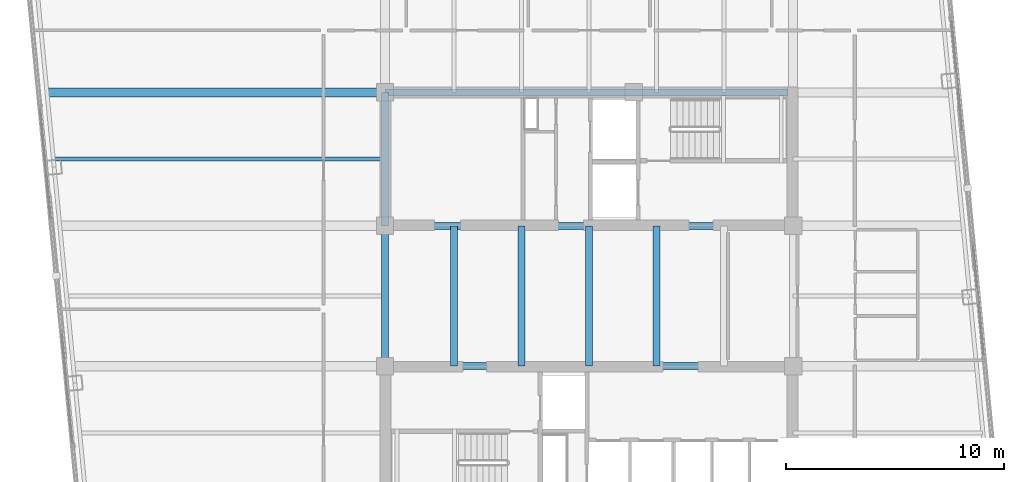
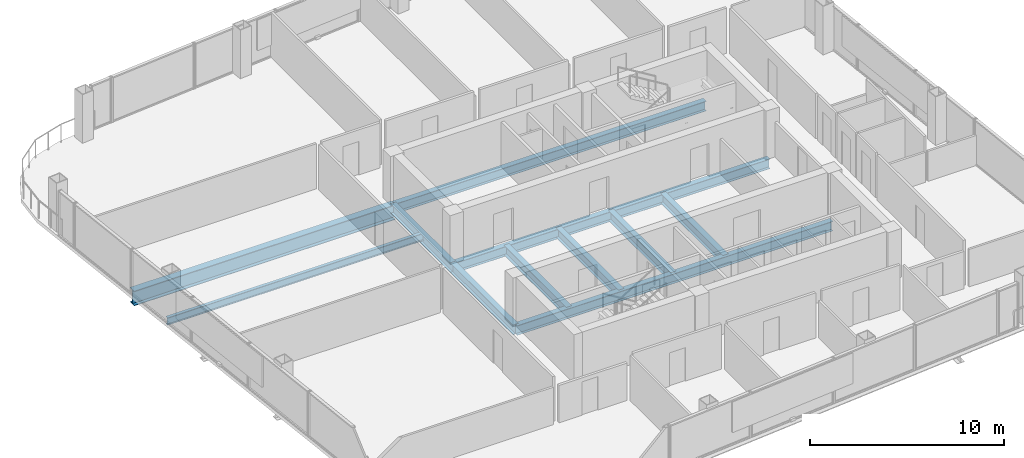
# One storey, part 8 of 22: 11 beams.
"""IFC4 building model written with IfcOpenShell, lengths in metres."""

import ifcopenshell
import ifcopenshell.guid

model = None  # the IFC model being written
_history = None  # IfcOwnerHistory: only IFC2X3 demands one
_inside = {}  # id of a spatial element -> (the spatial element, [elements in it])
_under = {}  # id of a project, library or spatial element -> (it, [spatial elements below it])
_declared = {}  # id of a project -> (the project, [libraries it declares])
_typed = {}  # id of a type object -> (the type object, [elements of that type])
_made_of = {}  # id of a material, layer set ... -> (it, [elements and type objects made of it])


def new_model(schema):
    """Start an empty IFC model of exactly this schema.

    Asked for "IFC4X3", IfcOpenShell would pick the latest addendum, in which some entities
    have other attributes; the version numbers below select the first issue.
    IFC2X3 requires an IfcOwnerHistory on every rooted entity: one is made here for all.
    """
    global model, _history
    if schema == "IFC4X3":
        model = ifcopenshell.file(schema_version=(4, 3, 0, 0))
    else:
        model = ifcopenshell.file(schema=schema)
    _inside.clear()
    _under.clear()
    _declared.clear()
    _typed.clear()
    _made_of.clear()
    _history = None
    if model.schema == "IFC2X3":
        org = make("IfcOrganization", Name="unknown")
        user = make(
            "IfcPersonAndOrganization",
            ThePerson=make("IfcPerson", FamilyName="unknown"),
            TheOrganization=org,
        )
        app = make(
            "IfcApplication",
            ApplicationDeveloper=org,
            Version="unknown",
            ApplicationFullName="unknown",
            ApplicationIdentifier="unknown",
        )
        _history = make(
            "IfcOwnerHistory",
            OwningUser=user,
            OwningApplication=app,
            ChangeAction="ADDED",
            CreationDate=0,
        )
    return model


def make(cls, **values):
    """One entity of the class cls with the attributes given. An attribute that is None is left unset."""
    return model.create_entity(
        cls, **{name: value for name, value in values.items() if value is not None}
    )


def rooted(cls, **values):
    """An entity with a GlobalId (a new one), such as an element, a storey or a relation."""
    return make(cls, GlobalId=ifcopenshell.guid.new(), OwnerHistory=_history, **values)


def si_unit(unit_type, name, prefix=None):
    """IfcSIUnit, for example si_unit("LENGTHUNIT", "METRE", prefix="MILLI")."""
    return make("IfcSIUnit", UnitType=unit_type, Prefix=prefix, Name=name)


def assignment(units):
    """IfcUnitAssignment: the units of a project."""
    return None if units is None else make("IfcUnitAssignment", Units=units)


def point(xyz):
    """IfcCartesianPoint."""
    return None if xyz is None else make("IfcCartesianPoint", Coordinates=xyz)


def direction(xyz):
    """IfcDirection."""
    return None if xyz is None else make("IfcDirection", DirectionRatios=xyz)


def frame(location, z_axis=None, x_axis=None):
    """IfcAxis2Placement3D, a coordinate frame: its origin and axes. An axis left out is left unset."""
    return make(
        "IfcAxis2Placement3D",
        Location=point(location),
        Axis=direction(z_axis),
        RefDirection=direction(x_axis),
    )


def frame_2d(location, x_axis=None):
    """IfcAxis2Placement2D, a coordinate frame in the plane: its origin and x axis."""
    return make(
        "IfcAxis2Placement2D", Location=point(location), RefDirection=direction(x_axis)
    )


def origin():
    """The frame at (0, 0, 0) with its axes left unset."""
    return frame((0.0, 0.0, 0.0))


def origin_2d():
    """The frame at (0, 0) in the plane with its x axis left unset."""
    return frame_2d((0.0, 0.0))


def place(relative_to, where):
    """IfcLocalPlacement: puts the frame where relative to a parent placement (None: the world)."""
    return make(
        "IfcLocalPlacement", PlacementRelTo=relative_to, RelativePlacement=where
    )


def context(
    kind, dimensions, precision=None, world=None, true_north=None, identifier=None
):
    """IfcGeometricRepresentationContext, for example the 3D "Model" context."""
    return make(
        "IfcGeometricRepresentationContext",
        ContextIdentifier=identifier,
        ContextType=kind,
        CoordinateSpaceDimension=dimensions,
        Precision=precision,
        WorldCoordinateSystem=world,
        TrueNorth=true_north,
    )


def subcontext(parent, identifier, kind, view, scale=None):
    """IfcGeometricRepresentationSubContext, for example "Body" below "Model"."""
    return make(
        "IfcGeometricRepresentationSubContext",
        ContextIdentifier=identifier,
        ContextType=kind,
        ParentContext=parent,
        TargetScale=scale,
        TargetView=view,
    )


def project(units=None, contexts=None):
    """IfcProject with its units and contexts."""
    return rooted(
        "IfcProject",
        Name="project",
        RepresentationContexts=contexts,
        UnitsInContext=assignment(units),
    )


def spatial(cls, under=None, at=None, **own):
    """A site, building, storey or space (cls), placed at a placement, below another one or the project."""
    s = rooted(cls, ObjectPlacement=at, **own)
    if under is not None:
        _under.setdefault(under.id(), (under, []))[1].append(s)
    return s


def profile(cls, at=None, kind="AREA", **sizes):
    """A parametric profile (cls). Its sizes go by their IFC names, for example OverallWidth=200.0."""
    return make(cls, ProfileType=kind, Position=at, **sizes)


def i_section(**sizes):
    """IfcIShapeProfileDef."""
    return profile("IfcIShapeProfileDef", **sizes)


def extrude(swept, where, along, depth):
    """IfcExtrudedAreaSolid: the profile swept, set in the frame where, extruded along a direction by depth."""
    return make(
        "IfcExtrudedAreaSolid",
        SweptArea=swept,
        Position=where,
        ExtrudedDirection=direction(along),
        Depth=depth,
    )


def shape(context_of_items, identifier, shape_type, items):
    """IfcShapeRepresentation: the items that make up one representation, for example the "Body"."""
    return make(
        "IfcShapeRepresentation",
        ContextOfItems=context_of_items,
        RepresentationIdentifier=identifier,
        RepresentationType=shape_type,
        Items=items,
    )


def material(Name=None, Category=None):
    """IfcMaterial."""
    return make("IfcMaterial", Name=Name, Category=Category)


def material_profile(
    of_material, cross_section, Name=None, Category=None, Priority=None
):
    """IfcMaterialProfile: a cross section and its material."""
    return make(
        "IfcMaterialProfile",
        Name=Name,
        Material=of_material,
        Profile=cross_section,
        Priority=Priority,
        Category=Category,
    )


def profile_set(profiles, Name=None, composite=None):
    """IfcMaterialProfileSet."""
    return make(
        "IfcMaterialProfileSet",
        Name=Name,
        MaterialProfiles=profiles,
        CompositeProfile=composite,
    )


def made_of(thing, what):
    """Note that an element or type object is made of a material, layer set ...; save() writes the relation."""
    if what is not None:
        _made_of.setdefault(what.id(), (what, []))[1].append(thing)
    return thing


def type_object(cls, material=None, **own):
    """A type object (cls), such as IfcWallType, which elements share."""
    return made_of(rooted(cls, **own), material)


def element(
    cls,
    number,
    at=None,
    inside=None,
    cuts=None,
    type_object=None,
    material=None,
    context=None,
    identifier="Body",
    shape_type=None,
    held_by="IfcProductDefinitionShape",
    body=None,
    shapes=None,
    **own,
):
    """One element of the class cls, such as IfcWall. Its Tag is "e" and its number.

    at: its placement. inside: the storey or other place that contains it. cuts: it is an
    opening in that element (IfcRelVoidsElement). A single representation is given by context,
    identifier, shape_type and body (its items); several are given by shapes. held_by: the class
    of the entity that holds the representations. save() writes the other relations.
    """
    e = rooted(cls, Tag="e%d" % number, ObjectPlacement=at, **own)
    if body is not None:
        shapes = [shape(context, identifier, shape_type, body)]
    if shapes is not None:
        e.Representation = make(held_by, Representations=shapes)
    if inside is not None:
        _inside.setdefault(inside.id(), (inside, []))[1].append(e)
    if cuts is not None:
        rooted(
            "IfcRelVoidsElement", RelatingBuildingElement=cuts, RelatedOpeningElement=e
        )
    if type_object is not None:
        _typed.setdefault(type_object.id(), (type_object, []))[1].append(e)
    return made_of(e, material)


def aggregate(whole, parts):
    """IfcRelAggregates: a whole, such as a stair, and the parts it consists of."""
    return rooted("IfcRelAggregates", RelatingObject=whole, RelatedObjects=parts)


def save(model, path):
    """Write the relations noted so far, then the file.

    IfcRelAggregates (storeys below a building ...), IfcRelContainedInSpatialStructure (elements
    in a storey), IfcRelDefinesByType, IfcRelAssociatesMaterial and IfcRelDeclares: one each for
    every whole, place, type object, material and project.
    """
    for whole, parts in _under.values():
        aggregate(whole, parts)
    for where, things in _inside.values():
        rooted(
            "IfcRelContainedInSpatialStructure",
            RelatedElements=things,
            RelatingStructure=where,
        )
    for kind, things in _typed.values():
        rooted("IfcRelDefinesByType", RelatedObjects=things, RelatingType=kind)
    for what, things in _made_of.values():
        rooted("IfcRelAssociatesMaterial", RelatedObjects=things, RelatingMaterial=what)
    for by, libraries in _declared.values():
        rooted("IfcRelDeclares", RelatingContext=by, RelatedDefinitions=libraries)
    model.write(path)


model = new_model("IFC4")

# Units and contexts
model_context = context("Model", 3, precision=1e-05, world=origin(), true_north=direction((0.0, 1.0)))
body_context = subcontext(model_context, "Body", "Model", "MODEL_VIEW")
ifc_project = project(units=[si_unit("LENGTHUNIT", "METRE"), si_unit("AREAUNIT", "SQUARE_METRE"), si_unit("VOLUMEUNIT", "CUBIC_METRE"), si_unit("PLANEANGLEUNIT", "RADIAN"), si_unit("MASSUNIT", "GRAM", prefix="KILO")], contexts=[model_context])

# Site, building, storey
site_placement = place(None, origin())
site = spatial("IfcSite", under=ifc_project, at=site_placement, CompositionType="ELEMENT")
building_placement = place(site_placement, origin())
building = spatial("IfcBuilding", under=site, at=building_placement, Name="Qhalaya Broadcast Tower", CompositionType="ELEMENT")
storey_placement = place(building_placement, frame((0.0, 0.0, 165.300048828125)))
storey = spatial("IfcBuildingStorey", under=building, at=storey_placement, Name="L48", CompositionType="ELEMENT", Elevation=165.300048828125)

# Beams
ifc_material = material(Name="Structural Steel ASTM A992 Grade 50", Category="steel")
ifc_material_profile_1 = material_profile(ifc_material, i_section(OverallWidth=0.19189453125, OverallDepth=0.462890625, WebThickness=0.010498046875, FlangeThickness=0.017578125, at=origin_2d()), Name="W18X60")
ifc_profile_set_1 = profile_set([ifc_material_profile_1], Name="Structural Steel ASTM A992 Grade 50")
beam_type_1 = type_object("IfcBeamType", Name="Composite Floor Joist J03", PredefinedType="JOIST", material=ifc_profile_set_1)
beam_1_placement = place(storey_placement, frame((-24.589111328125, 6.89990234375, -0.45166015625), z_axis=(1.0, 0.0, 0.0), x_axis=(0.0, 1.0, 0.0)))
element("IfcBeam", 1, at=beam_1_placement, inside=storey, type_object=beam_type_1, Name="L48 J03 L48-JWE5W-1", PredefinedType="JOIST", context=body_context, shape_type="SweptSolid", body=[
    extrude(i_section(OverallWidth=0.19189453125, OverallDepth=0.462890625, WebThickness=0.010498046875, FlangeThickness=0.017578125, at=origin_2d()), origin(), (0.0, 0.0, 1.0), 15.214111328125),
])
ifc_material_profile_2 = material_profile(ifc_material, i_section(OverallWidth=0.323974609375, OverallDepth=0.612060546875, WebThickness=0.0126953125, FlangeThickness=0.01904296875, at=origin_2d()), Name="W24X104")
ifc_profile_set_2 = profile_set([ifc_material_profile_2], Name="Structural Steel ASTM A992 Grade 50")
beam_type_2 = type_object("IfcBeamType", Name="Core Frame Tie Beam B04", PredefinedType="BEAM", material=ifc_profile_set_2)
beam_2_placement = place(storey_placement, frame((-9.375, 3.824951171875, -0.526123046875), z_axis=(1.0, 0.0, 0.0), x_axis=(0.0, 1.0, 0.0)))
element("IfcBeam", 2, at=beam_2_placement, inside=storey, type_object=beam_type_2, Name="L48 B04 L48-CCN1", PredefinedType="BEAM", context=body_context, shape_type="SweptSolid", body=[
    extrude(i_section(OverallWidth=0.323974609375, OverallDepth=0.612060546875, WebThickness=0.0126953125, FlangeThickness=0.01904296875, at=origin_2d()), origin(), (0.0, 0.0, 1.0), 18.75),
])
beam_3_placement = place(storey_placement, frame((-9.375, 3.824951171875, -0.526123046875), z_axis=(0.0, 1.0, 0.0), x_axis=(-1.0, 0.0, 0.0)))
element("IfcBeam", 3, at=beam_3_placement, inside=storey, type_object=beam_type_2, Name="L48 B04 L48-CCN2", PredefinedType="BEAM", context=body_context, shape_type="SweptSolid", body=[
    extrude(i_section(OverallWidth=0.323974609375, OverallDepth=0.612060546875, WebThickness=0.0126953125, FlangeThickness=0.01904296875, at=origin_2d()), origin(), (0.0, 0.0, 1.0), 6.125),
])
beam_4_placement = place(storey_placement, frame((-9.375, 9.949951171875, -0.526123046875), z_axis=(1.0, 0.0, 0.0), x_axis=(0.0, 1.0, 0.0)))
element("IfcBeam", 4, at=beam_4_placement, inside=storey, type_object=beam_type_2, Name="L48 B04 L48-CCN3", PredefinedType="BEAM", context=body_context, shape_type="SweptSolid", body=[
    extrude(i_section(OverallWidth=0.323974609375, OverallDepth=0.612060546875, WebThickness=0.0126953125, FlangeThickness=0.01904296875, at=origin_2d()), origin(), (0.0, 0.0, 1.0), 18.4951171875),
])
beam_5_placement = place(storey_placement, frame((-9.375, -2.625, -0.526123046875), z_axis=(1.0, 0.0, 0.0), x_axis=(0.0, 1.0, 0.0)))
element("IfcBeam", 5, at=beam_5_placement, inside=storey, type_object=beam_type_2, Name="L48 B04 L48-CCS1", PredefinedType="BEAM", context=body_context, shape_type="SweptSolid", body=[
    extrude(i_section(OverallWidth=0.323974609375, OverallDepth=0.612060546875, WebThickness=0.0126953125, FlangeThickness=0.01904296875, at=origin_2d()), origin(), (0.0, 0.0, 1.0), 18.75),
])
for number, where, z_axis, x_axis, name in (
    (6, (-9.375, -2.625, -0.526123046875), (0.0, 1.0, 0.0), (-1.0, 0.0, 0.0), "L48 B04 L48-CCW"),
    (7, (-6.199951171875, -2.625, -0.526123046875), (0.0, 1.0, 0.0), (-1.0, 0.0, 0.0), "L48 B04 L48-JC1-1"),
    (8, (-3.10009765625, -2.625, -0.526123046875), (0.0, 1.0, 0.0), (-1.0, 0.0, 0.0), "L48 B04 L48-JC2-1"),
    (9, (0.0, -2.625, -0.526123046875), (0.0, 1.0, 0.0), (-1.0, 0.0, 0.0), "L48 B04 L48-JC3-1"),
    (10, (3.10009765625, -2.625, -0.526123046875), (0.0, 1.0, 0.0), (-1.0, 0.0, 0.0), "L48 B04 L48-JC4-1"),
):
    element("IfcBeam", number, at=place(storey_placement, frame(where, z_axis=z_axis, x_axis=x_axis)), inside=storey, type_object=beam_type_2, Name=name, PredefinedType="BEAM", context=body_context, shape_type="SweptSolid", body=[
        extrude(i_section(OverallWidth=0.323974609375, OverallDepth=0.612060546875, WebThickness=0.0126953125, FlangeThickness=0.01904296875, at=origin_2d()), origin(), (0.0, 0.0, 1.0), 6.449951171875),
    ])
ifc_material_profile_3 = material_profile(ifc_material, i_section(OverallWidth=0.4189453125, OverallDepth=0.927001953125, WebThickness=0.019287109375, FlangeThickness=0.031982421875, at=origin_2d()), Name="W36X231")
ifc_profile_set_3 = profile_set([ifc_material_profile_3], Name="Structural Steel ASTM A992 Grade 50")
beam_type_3 = type_object("IfcBeamType", Name="Mid Block Primary Girder PG3", PredefinedType="USERDEFINED", material=ifc_profile_set_3)
beam_6_placement = place(storey_placement, frame((-24.882568359375, 9.949951171875, -0.68359375), z_axis=(1.0, 0.0, 0.0), x_axis=(0.0, 1.0, 0.0)))
element("IfcBeam", 11, at=beam_6_placement, inside=storey, type_object=beam_type_3, Name="L48 PG3 L48-PGYW4-1", ObjectType="GIRDER", PredefinedType="USERDEFINED", context=body_context, shape_type="SweptSolid", body=[
    extrude(i_section(OverallWidth=0.4189453125, OverallDepth=0.927001953125, WebThickness=0.019287109375, FlangeThickness=0.031982421875, at=origin_2d()), origin(), (0.0, 0.0, 1.0), 15.507568359375),
])

save(model, "model.ifc")
